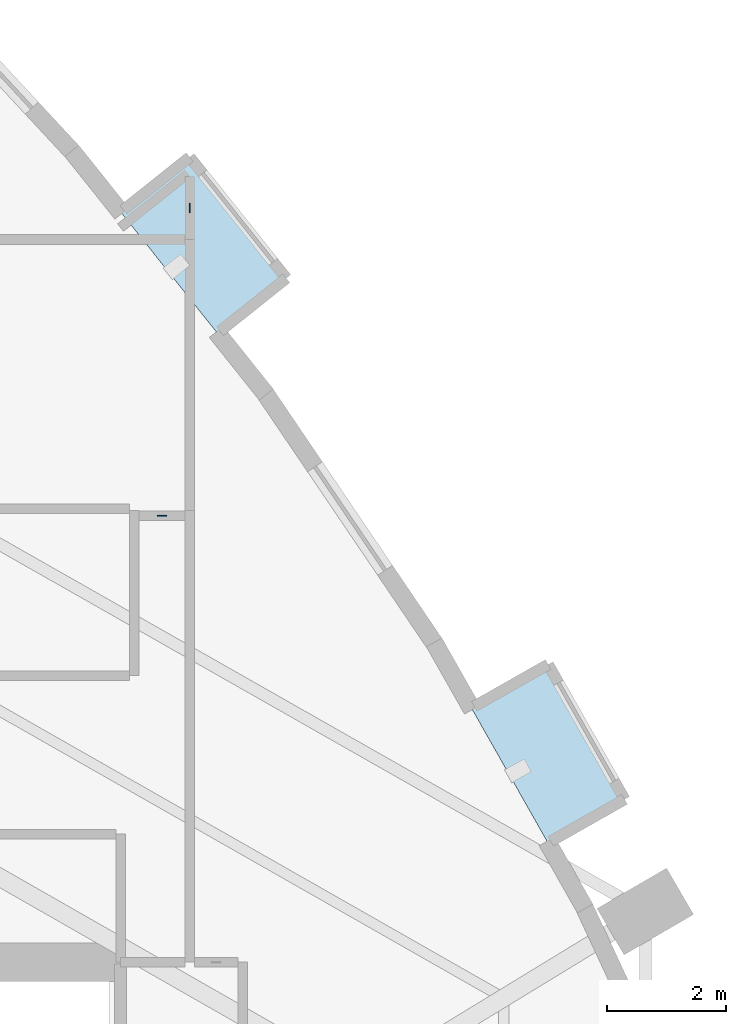
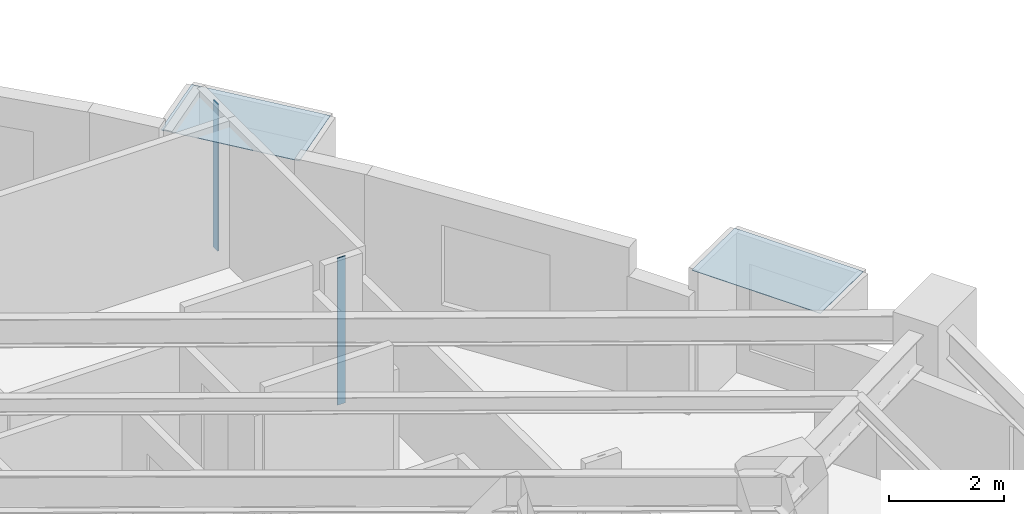
# One storey, part 7 of 15: 4 plates.
"""IFC4 building model written with IfcOpenShell, lengths in metres."""

from ifc_helpers import new_model, si_unit, direction, frame, origin, origin_2d, place, context, subcontext, project, spatial, polyline, rectangle, outline, extrude, material, layer, layer_set, type_object, element, save


model = new_model("IFC4")

# Units and contexts
model_context = context("Model", 3, precision=1e-05, world=origin(), true_north=direction((0.0, 1.0)))
body_context = subcontext(model_context, "Body", "Model", "MODEL_VIEW")
ifc_project = project(units=[si_unit("LENGTHUNIT", "METRE"), si_unit("AREAUNIT", "SQUARE_METRE"), si_unit("VOLUMEUNIT", "CUBIC_METRE"), si_unit("PLANEANGLEUNIT", "RADIAN"), si_unit("MASSUNIT", "GRAM", prefix="KILO")], contexts=[model_context])

# Site, building, storey
site_placement = place(None, origin())
site = spatial("IfcSite", under=ifc_project, at=site_placement, CompositionType="ELEMENT")
building_placement = place(site_placement, origin())
building = spatial("IfcBuilding", under=site, at=building_placement, Name="Miruveldt Soraemaru", CompositionType="ELEMENT")
storey_placement = place(building_placement, frame((0.0, 0.0, 83.60009765625)))
storey = spatial("IfcBuildingStorey", under=building, at=storey_placement, Name="L23", CompositionType="ELEMENT", Elevation=83.60009765625)

# Plates
ifc_material_1 = material(Name="Anodised aluminium EN AW-6063 T6", Category="aluminium")
ifc_layer_1 = layer(ifc_material_1, 0.02001953125, Name="Anodised aluminium EN AW-6063 T6", Category="aluminium")
ifc_layer_set_1 = layer_set([ifc_layer_1], Name="Anodised aluminium EN AW-6063 T6")
plate_type_1 = type_object("IfcPlateType", Name="PLT-PART-TRIM", PredefinedType="SHEET", material=ifc_layer_set_1)
for number, where, z_axis, x_axis, name in (
    (1, (53.7099609375, 65.1083984375, 0.0), (0.0, 0.0, 1.0), (0.0, 1.0, 0.0), "L23 Partition Step Corner Trim Plate 049"),
    (2, (53.2451171875, 59.94091796875, 0.0), (0.0, 0.0, 1.0), (-1.0, 0.0, 0.0), "L23 Partition Step Corner Trim Plate 041"),
):
    element("IfcPlate", number, at=place(storey_placement, frame(where, z_axis=z_axis, x_axis=x_axis)), inside=storey, type_object=plate_type_1, Name=name, PredefinedType="SHEET", context=body_context, shape_type="SweptSolid", body=[
        extrude(rectangle(XDim=0.159912109375, YDim=0.02001953125, at=origin_2d()), origin(), (0.0, 0.0, 1.0), 3.125),
    ])
ifc_material_2 = material(Name="Standing-seam titanium-zinc sheet", Category="aluminium")
ifc_layer_2 = layer(ifc_material_2, 0.011962890625, Name="Standing-seam titanium-zinc sheet", Category="aluminium")
ifc_layer_set_2 = layer_set([ifc_layer_2], Name="Standing-seam titanium-zinc sheet")
plate_type_2 = type_object("IfcPlateType", Name="PLT-ZINC-12", PredefinedType="SHEET", material=ifc_layer_set_2)
plate_1_placement = place(storey_placement, frame((0.0, 0.0, 2.974853515625)))
element("IfcPlate", 3, at=plate_1_placement, inside=storey, type_object=plate_type_2, Name="L23 Bay Window Zinc Hood Sheet 5", PredefinedType="SHEET", context=body_context, shape_type="SweptSolid", body=[
    extrude(outline(polyline([(59.720703125, 54.452392578125), (58.43798828125, 56.7138671875), (59.72509765625, 57.444091796875), (61.008056640625, 55.1826171875), (59.720703125, 54.452392578125)])), origin(), (0.0, 0.0, 1.0), 0.011962890625),
])
plate_2_placement = place(storey_placement, frame((0.0, 0.0, 2.974853515625)))
element("IfcPlate", 4, at=plate_2_placement, inside=storey, type_object=plate_type_2, Name="L23 Bay Window Zinc Hood Sheet 6", PredefinedType="SHEET", context=body_context, shape_type="SweptSolid", body=[
    extrude(outline(polyline([(54.17431640625, 63.00439453125), (52.552978515625, 65.036865234375), (53.7099609375, 65.9599609375), (55.331298828125, 63.927490234375), (54.17431640625, 63.00439453125)])), origin(), (0.0, 0.0, 1.0), 0.011962890625),
])

save(model, "model.ifc")
